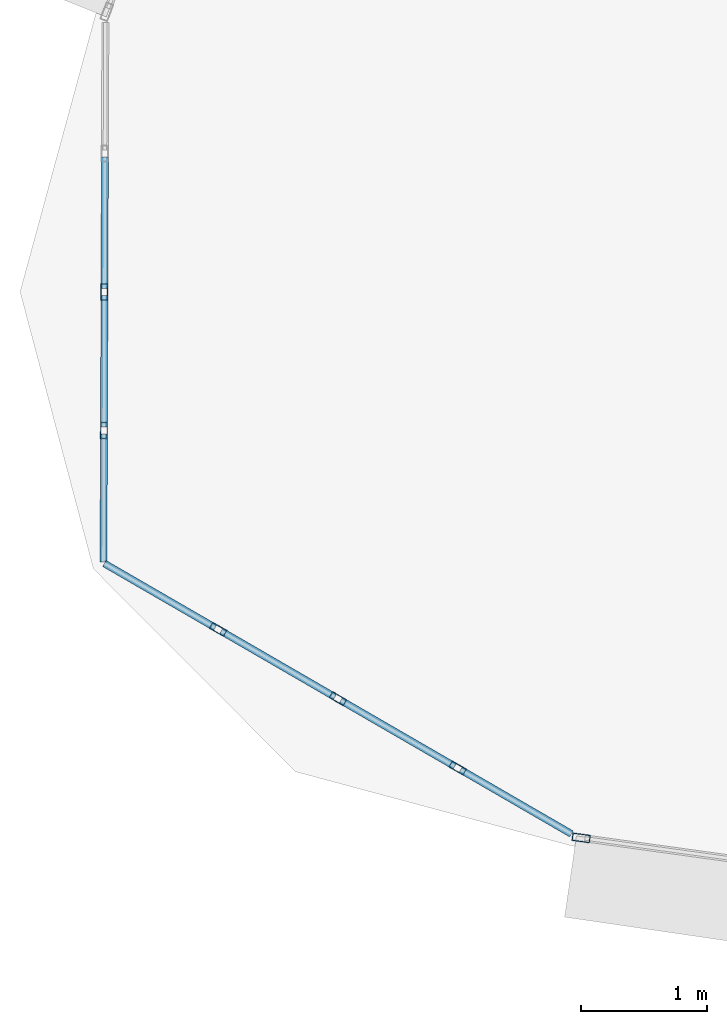
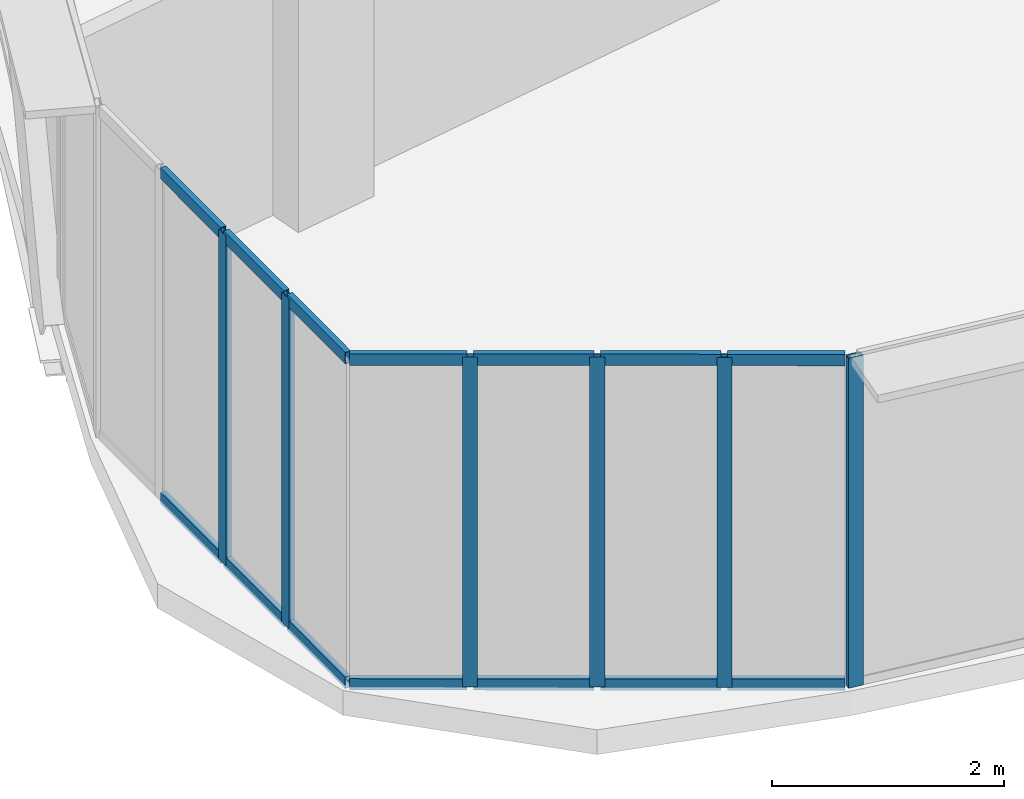
# One storey, part 2 of 37: 20 members, 3 elements without a shape of their own.
"""IFC4 building model written with IfcOpenShell, lengths in metres."""

from ifc_helpers import new_model, si_unit, direction, frame, origin, origin_2d, place, context, subcontext, project, spatial, hollow_rectangle, extrude, source, transform, mapped, material, layer, layer_set, material_profile, profile_set, type_object, element, aggregate, save


model = new_model("IFC4")

# Units and contexts
model_context = context("Model", 3, precision=1e-05, world=origin(), true_north=direction((0.0, 1.0)))
body_context = subcontext(model_context, "Body", "Model", "MODEL_VIEW")
ifc_project = project(units=[si_unit("LENGTHUNIT", "METRE"), si_unit("AREAUNIT", "SQUARE_METRE"), si_unit("VOLUMEUNIT", "CUBIC_METRE"), si_unit("PLANEANGLEUNIT", "RADIAN"), si_unit("MASSUNIT", "GRAM", prefix="KILO"), si_unit("THERMODYNAMICTEMPERATUREUNIT", "KELVIN"), si_unit("POWERUNIT", "WATT")], contexts=[model_context])

# Site, building, storey
site_placement = place(None, origin())
site = spatial("IfcSite", under=ifc_project, at=site_placement, CompositionType="ELEMENT")
building_placement = place(site_placement, origin())
building = spatial("IfcBuilding", under=site, at=building_placement, Name="Yunzhuo Pagoda Commons", CompositionType="ELEMENT")
storey_placement = place(building_placement, frame((0.0, 0.0, 240.800048828125)))
storey = spatial("IfcBuildingStorey", under=building, at=storey_placement, Name="L60", CompositionType="ELEMENT", Elevation=240.800048828125)

# Curtain wall, member
ifc_material = material(Name="Anodized aluminium 6063-T6", Category="aluminium")
ifc_layer_1 = layer(ifc_material, 0.139892578125)
ifc_layer_set_1 = layer_set([ifc_layer_1], Name="Anodized aluminium 6063-T6")
curtain_wall_type_1 = type_object("IfcCurtainWallType", Name="CW-HI High-Zone Ribbon Curtain Wall", PredefinedType="NOTDEFINED", material=ifc_layer_set_1)
curtain_wall_1_placement = place(storey_placement, origin())
curtain_wall_1 = element("IfcCurtainWall", 1, at=curtain_wall_1_placement, inside=storey, type_object=curtain_wall_type_1, Name="L60 curtain wall CW-L60-F1B1", PredefinedType="NOTDEFINED")
ifc_material_profile_1 = material_profile(ifc_material, hollow_rectangle(XDim=0.06005859375, YDim=0.139892578125, WallThickness=0.00341796875, at=origin_2d()), Name="Anodized aluminium 6063-T6")
ifc_profile_set_1 = profile_set([ifc_material_profile_1], Name="Anodized aluminium 6063-T6")
member_type_1 = type_object("IfcMemberType", Name="CW-HI-M Mullion RHS 140x60x3.5", PredefinedType="MULLION", material=ifc_profile_set_1)
shared_shape_1 = source(origin(), body_context, "Body", "SweptSolid", [
    extrude(hollow_rectangle(XDim=0.06005859375, YDim=0.139892578125, WallThickness=0.00341796875, at=origin_2d()), origin(), (0.0, 0.0, 1.0), 3.47021484375),
])
member_1_placement = place(storey_placement, frame((16.4755859375, 19.29833984375, 0.0), z_axis=(0.0, 0.0, 1.0), x_axis=(0.137250412651, 0.990536382082, 0.0)))
member_1 = element("IfcMember", 2, at=member_1_placement, type_object=member_type_1, Name="CW mullion 1", PredefinedType="MULLION", context=body_context, shape_type="MappedRepresentation", body=[
    mapped(shared_shape_1, transform((0.0, 0.0, 0.0), scale=1.0)),
])
aggregate(curtain_wall_1, [member_1])

# Curtain wall, members
ifc_layer_2 = layer(ifc_material, 0.1298828125)
ifc_layer_set_2 = layer_set([ifc_layer_2], Name="Anodized aluminium 6063-T6")
curtain_wall_type_2 = type_object("IfcCurtainWallType", Name="CW-VTX Rounded Corner Curtain Wall", PredefinedType="NOTDEFINED", material=ifc_layer_set_2)
curtain_wall_2_placement = place(storey_placement, origin())
curtain_wall_2 = element("IfcCurtainWall", 3, at=curtain_wall_2_placement, inside=storey, type_object=curtain_wall_type_2, Name="L60 curtain wall CW-L60-VTX1S1", PredefinedType="NOTDEFINED")
ifc_material_profile_2 = material_profile(ifc_material, hollow_rectangle(XDim=0.054931640625, YDim=0.1298828125, WallThickness=0.00341796875, at=origin_2d()), Name="Anodized aluminium 6063-T6")
ifc_profile_set_2 = profile_set([ifc_material_profile_2], Name="Anodized aluminium 6063-T6")
member_type_2 = type_object("IfcMemberType", Name="CW-VTX-M Mullion RHS 130x55x3.5", PredefinedType="MULLION", material=ifc_profile_set_2)
shared_shape_2 = source(origin(), body_context, "Body", "SweptSolid", [
    extrude(hollow_rectangle(XDim=0.054931640625, YDim=0.1298828125, WallThickness=0.00341796875, at=origin_2d()), origin(), (0.0, 0.0, 1.0), 3.47021484375),
])
member_2_placement = place(storey_placement, frame((12.704345703125, 23.615966796875, 0.0), z_axis=(0.0, 0.0, 1.0), x_axis=(0.999993571429, -0.003585679809, 0.0)))
member_2 = element("IfcMember", 4, at=member_2_placement, type_object=member_type_2, Name="CW mullion 3", PredefinedType="MULLION", context=body_context, shape_type="MappedRepresentation", body=[
    mapped(shared_shape_2, transform((0.0, 0.0, 0.0), scale=1.0)),
])
member_3_placement = place(storey_placement, frame((12.70068359375, 22.521484375, 0.0), z_axis=(0.0, 0.0, 1.0), x_axis=(0.999993571429, -0.003585679809, 0.0)))
member_3 = element("IfcMember", 5, at=member_3_placement, type_object=member_type_2, Name="CW mullion 4", PredefinedType="MULLION", context=body_context, shape_type="MappedRepresentation", body=[
    mapped(shared_shape_2, transform((0.0, 0.0, 0.0), scale=1.0)),
])

curtain_wall_3_placement = place(storey_placement, origin())
curtain_wall_3 = element("IfcCurtainWall", 6, at=curtain_wall_3_placement, inside=storey, type_object=curtain_wall_type_2, Name="L60 curtain wall CW-L60-VTX1S2", PredefinedType="NOTDEFINED")
member_4_placement = place(storey_placement, frame((13.60400390625, 20.94775390625, 0.0), z_axis=(0.0, 0.0, 1.0), x_axis=(0.501035370268, 0.865426806692, 0.0)))
member_4 = element("IfcMember", 7, at=member_4_placement, type_object=member_type_2, Name="CW mullion 2", PredefinedType="MULLION", context=body_context, shape_type="MappedRepresentation", body=[
    mapped(shared_shape_2, transform((0.0, 0.0, 0.0), scale=1.0)),
])
member_5_placement = place(storey_placement, frame((14.551513671875, 20.3994140625, 0.0), z_axis=(0.0, 0.0, 1.0), x_axis=(0.501035370268, 0.865426806692, 0.0)))
member_5 = element("IfcMember", 8, at=member_5_placement, type_object=member_type_2, Name="CW mullion 3", PredefinedType="MULLION", context=body_context, shape_type="MappedRepresentation", body=[
    mapped(shared_shape_2, transform((0.0, 0.0, 0.0), scale=1.0)),
])
member_6_placement = place(storey_placement, frame((15.49853515625, 19.850830078125, 0.0), z_axis=(0.0, 0.0, 1.0), x_axis=(0.501035370268, 0.865426806692, 0.0)))
member_6 = element("IfcMember", 9, at=member_6_placement, type_object=member_type_2, Name="CW mullion 4", PredefinedType="MULLION", context=body_context, shape_type="MappedRepresentation", body=[
    mapped(shared_shape_2, transform((0.0, 0.0, 0.0), scale=1.0)),
])
ifc_material_profile_3 = material_profile(ifc_material, hollow_rectangle(XDim=0.054931640625, YDim=0.1201171875, WallThickness=0.00341796875, at=origin_2d()), Name="Anodized aluminium 6063-T6")
ifc_profile_set_3 = profile_set([ifc_material_profile_3], Name="Anodized aluminium 6063-T6")
member_type_3 = type_object("IfcMemberType", Name="CW-VTX-T Transom RHS 120x55x3.5", PredefinedType="USERDEFINED", material=ifc_profile_set_3)
shared_shape_3 = source(origin(), body_context, "Body", "SweptSolid", [
    extrude(hollow_rectangle(XDim=0.054931640625, YDim=0.1201171875, WallThickness=0.00341796875, at=origin_2d()), origin(), (0.0, 0.0, 1.0), 1.011962890625),
])
member_7_placement = place(storey_placement, frame((15.5224609375, 19.837158203125, 0.02734375), z_axis=(0.865393248242, -0.501093330526, 0.0), x_axis=(0.501093330526, 0.865393248242, 0.0)))
member_7 = element("IfcMember", 10, at=member_7_placement, type_object=member_type_3, Name="CW transom 4.1", ObjectType="TRANSOM", PredefinedType="USERDEFINED", context=body_context, shape_type="MappedRepresentation", body=[
    mapped(shared_shape_3, transform((0.0, 0.0, 0.0), scale=1.0)),
])
member_8_placement = place(storey_placement, frame((15.5224609375, 19.837158203125, 3.4423828125), z_axis=(0.865393248242, -0.501093330526, 0.0), x_axis=(0.501093330526, 0.865393248242, 0.0)))
member_8 = element("IfcMember", 11, at=member_8_placement, type_object=member_type_3, Name="CW transom 4.2", ObjectType="TRANSOM", PredefinedType="USERDEFINED", context=body_context, shape_type="MappedRepresentation", body=[
    mapped(shared_shape_3, transform((0.0, 0.0, 0.0), scale=1.0)),
])

# Member
shared_shape_4 = source(origin(), body_context, "Body", "SweptSolid", [
    extrude(hollow_rectangle(XDim=0.054931640625, YDim=0.1201171875, WallThickness=0.00341796875, at=origin_2d()), origin(), (0.0, 0.0, 1.0), 1.039794921875),
])
member_9_placement = place(storey_placement, frame((12.708251953125, 24.683349609375, 0.02734375), z_axis=(-0.003756723901, -0.999992943488, 0.0), x_axis=(0.999992943488, -0.003756723901, 0.0)))
member_9 = element("IfcMember", 12, at=member_9_placement, type_object=member_type_3, Name="CW transom 2.1", ObjectType="TRANSOM", PredefinedType="USERDEFINED", context=body_context, shape_type="MappedRepresentation", body=[
    mapped(shared_shape_4, transform((0.0, 0.0, 0.0), scale=1.0)),
])

member_10_placement = place(storey_placement, frame((12.708251953125, 24.683349609375, 3.4423828125), z_axis=(-0.003756723901, -0.999992943488, 0.0), x_axis=(0.999992943488, -0.003756723901, 0.0)))
member_10 = element("IfcMember", 13, at=member_10_placement, type_object=member_type_3, Name="CW transom 2.2", ObjectType="TRANSOM", PredefinedType="USERDEFINED", context=body_context, shape_type="MappedRepresentation", body=[
    mapped(shared_shape_4, transform((0.0, 0.0, 0.0), scale=1.0)),
])

member_11_placement = place(storey_placement, frame((12.704345703125, 23.588623046875, 0.02734375), z_axis=(-0.003521931667, -0.999993797979, 0.0), x_axis=(0.999993797979, -0.003521931667, 0.0)))
member_11 = element("IfcMember", 14, at=member_11_placement, type_object=member_type_3, Name="CW transom 3.1", ObjectType="TRANSOM", PredefinedType="USERDEFINED", context=body_context, shape_type="MappedRepresentation", body=[
    mapped(shared_shape_4, transform((0.0, 0.0, 0.0), scale=1.0)),
])

member_12_placement = place(storey_placement, frame((12.704345703125, 23.588623046875, 3.4423828125), z_axis=(-0.003521931667, -0.999993797979, 0.0), x_axis=(0.999993797979, -0.003521931667, 0.0)))
member_12 = element("IfcMember", 15, at=member_12_placement, type_object=member_type_3, Name="CW transom 3.2", ObjectType="TRANSOM", PredefinedType="USERDEFINED", context=body_context, shape_type="MappedRepresentation", body=[
    mapped(shared_shape_4, transform((0.0, 0.0, 0.0), scale=1.0)),
])

shared_shape_5 = source(origin(), body_context, "Body", "SweptSolid", [
    extrude(hollow_rectangle(XDim=0.054931640625, YDim=0.1201171875, WallThickness=0.00341796875, at=origin_2d()), origin(), (0.0, 0.0, 1.0), 1.01220703125),
])
member_13_placement = place(storey_placement, frame((12.70068359375, 22.494140625, 0.02734375), z_axis=(-0.003859112604, -0.999992553597, 0.0), x_axis=(0.999992553597, -0.003859112604, 0.0)))
member_13 = element("IfcMember", 16, at=member_13_placement, type_object=member_type_3, Name="CW transom 4.1", ObjectType="TRANSOM", PredefinedType="USERDEFINED", context=body_context, shape_type="MappedRepresentation", body=[
    mapped(shared_shape_5, transform((0.0, 0.0, 0.0), scale=1.0)),
])

member_14_placement = place(storey_placement, frame((12.70068359375, 22.494140625, 3.4423828125), z_axis=(-0.003859112604, -0.999992553597, 0.0), x_axis=(0.999992553597, -0.003859112604, 0.0)))
member_14 = element("IfcMember", 17, at=member_14_placement, type_object=member_type_3, Name="CW transom 4.2", ObjectType="TRANSOM", PredefinedType="USERDEFINED", context=body_context, shape_type="MappedRepresentation", body=[
    mapped(shared_shape_5, transform((0.0, 0.0, 0.0), scale=1.0)),
])

aggregate(curtain_wall_2, [member_2, member_3, member_9, member_10, member_11, member_12, member_13, member_14])

member_15_placement = place(storey_placement, frame((12.7041015625, 21.46875, 0.02734375), z_axis=(0.865453807894, -0.500988728817, 0.0), x_axis=(0.500988728817, 0.865453807894, 0.0)))
member_15 = element("IfcMember", 18, at=member_15_placement, type_object=member_type_3, Name="CW transom 1.1", ObjectType="TRANSOM", PredefinedType="USERDEFINED", context=body_context, shape_type="MappedRepresentation", body=[
    mapped(shared_shape_5, transform((0.0, 0.0, 0.0), scale=1.0)),
])

member_16_placement = place(storey_placement, frame((12.7041015625, 21.46875, 3.4423828125), z_axis=(0.865453807894, -0.500988728817, 0.0), x_axis=(0.500988728817, 0.865453807894, 0.0)))
member_16 = element("IfcMember", 19, at=member_16_placement, type_object=member_type_3, Name="CW transom 1.2", ObjectType="TRANSOM", PredefinedType="USERDEFINED", context=body_context, shape_type="MappedRepresentation", body=[
    mapped(shared_shape_5, transform((0.0, 0.0, 0.0), scale=1.0)),
])

shared_shape_6 = source(origin(), body_context, "Body", "SweptSolid", [
    extrude(hollow_rectangle(XDim=0.054931640625, YDim=0.1201171875, WallThickness=0.00341796875, at=origin_2d()), origin(), (0.0, 0.0, 1.0), 1.039306640625),
])
member_17_placement = place(storey_placement, frame((13.6279296875, 20.93408203125, 0.02734375), z_axis=(0.865308332787, -0.501239951729, 0.0), x_axis=(0.501239951729, 0.865308332787, 0.0)))
member_17 = element("IfcMember", 20, at=member_17_placement, type_object=member_type_3, Name="CW transom 2.1", ObjectType="TRANSOM", PredefinedType="USERDEFINED", context=body_context, shape_type="MappedRepresentation", body=[
    mapped(shared_shape_6, transform((0.0, 0.0, 0.0), scale=1.0)),
])

member_18_placement = place(storey_placement, frame((13.6279296875, 20.93408203125, 3.4423828125), z_axis=(0.865308332787, -0.501239951729, 0.0), x_axis=(0.501239951729, 0.865308332787, 0.0)))
member_18 = element("IfcMember", 21, at=member_18_placement, type_object=member_type_3, Name="CW transom 2.2", ObjectType="TRANSOM", PredefinedType="USERDEFINED", context=body_context, shape_type="MappedRepresentation", body=[
    mapped(shared_shape_6, transform((0.0, 0.0, 0.0), scale=1.0)),
])

shared_shape_7 = source(origin(), body_context, "Body", "SweptSolid", [
    extrude(hollow_rectangle(XDim=0.054931640625, YDim=0.1201171875, WallThickness=0.00341796875, at=origin_2d()), origin(), (0.0, 0.0, 1.0), 1.0400390625),
])
member_19_placement = place(storey_placement, frame((14.574951171875, 20.3857421875, 0.02734375), z_axis=(0.865485207922, -0.500934481613, 0.0), x_axis=(0.500934481613, 0.865485207922, 0.0)))
member_19 = element("IfcMember", 22, at=member_19_placement, type_object=member_type_3, Name="CW transom 3.1", ObjectType="TRANSOM", PredefinedType="USERDEFINED", context=body_context, shape_type="MappedRepresentation", body=[
    mapped(shared_shape_7, transform((0.0, 0.0, 0.0), scale=1.0)),
])

member_20_placement = place(storey_placement, frame((14.574951171875, 20.3857421875, 3.4423828125), z_axis=(0.865485207922, -0.500934481613, 0.0), x_axis=(0.500934481613, 0.865485207922, 0.0)))
member_20 = element("IfcMember", 23, at=member_20_placement, type_object=member_type_3, Name="CW transom 3.2", ObjectType="TRANSOM", PredefinedType="USERDEFINED", context=body_context, shape_type="MappedRepresentation", body=[
    mapped(shared_shape_7, transform((0.0, 0.0, 0.0), scale=1.0)),
])

aggregate(curtain_wall_3, [member_4, member_5, member_6, member_15, member_16, member_17, member_18, member_19, member_20, member_7, member_8])

save(model, "model.ifc")
